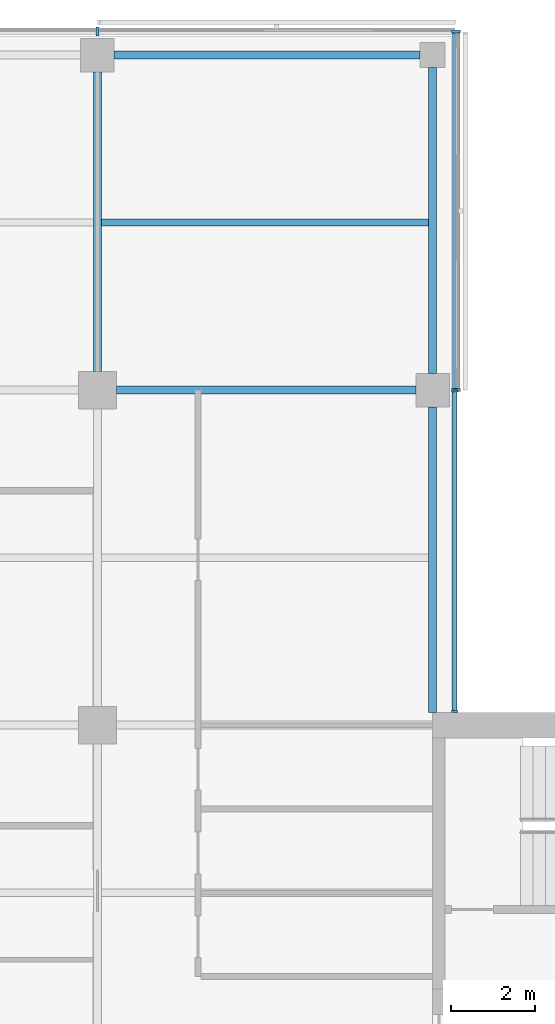
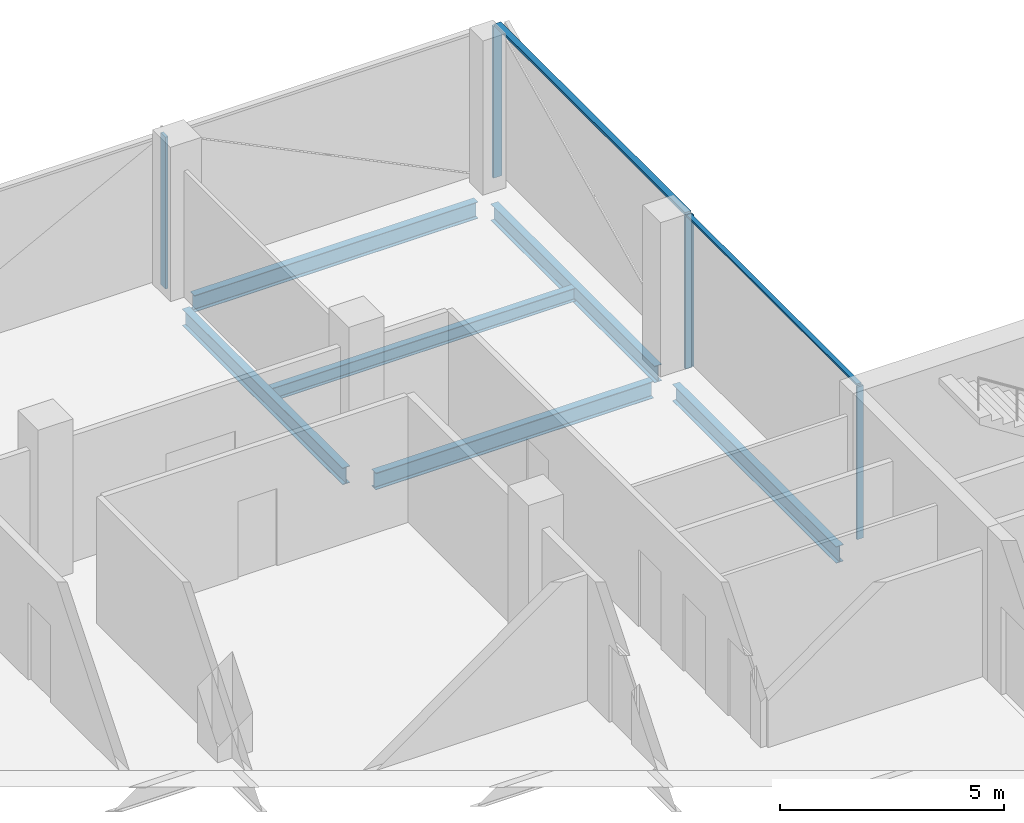
# One storey, part 7 of 15: 7 members, 6 beams, 3 elements without a shape of their own.
"""IFC4 building model written with IfcOpenShell, lengths in metres."""

from ifc_helpers import new_model, si_unit, direction, frame, origin, origin_2d, place, context, subcontext, project, spatial, rectangle, i_section, extrude, material, material_profile, profile_set, type_object, element, aggregate, save


model = new_model("IFC4")

# Units and contexts
model_context = context("Model", 3, precision=1e-05, world=origin(), true_north=direction((0.0, 1.0)))
body_context = subcontext(model_context, "Body", "Model", "MODEL_VIEW")
ifc_project = project(units=[si_unit("LENGTHUNIT", "METRE"), si_unit("AREAUNIT", "SQUARE_METRE"), si_unit("VOLUMEUNIT", "CUBIC_METRE"), si_unit("PLANEANGLEUNIT", "RADIAN"), si_unit("MASSUNIT", "GRAM", prefix="KILO")], contexts=[model_context])

# Site, building, storey
site_placement = place(None, origin())
site = spatial("IfcSite", under=ifc_project, at=site_placement, CompositionType="ELEMENT")
building_placement = place(site_placement, origin())
building = spatial("IfcBuilding", under=site, at=building_placement, Name="Crosswind Convention Tower", CompositionType="ELEMENT")
storey_placement = place(building_placement, frame((0.0, 0.0, 220.89990234375)))
storey = spatial("IfcBuildingStorey", under=building, at=storey_placement, Name="L47", CompositionType="ELEMENT", Elevation=220.89990234375)

# Beams
ifc_material_1 = material(Name="Steel S355", Category="steel")
ifc_material_profile_1 = material_profile(ifc_material_1, i_section(OverallWidth=0.18994140625, OverallDepth=0.45361328125, WebThickness=0.008544921875, FlangeThickness=0.0126953125, FilletRadius=0.01025390625, at=origin_2d()), Name="UB 457x191x67")
ifc_profile_set_1 = profile_set([ifc_material_profile_1], Name="Steel S355")
beam_type_1 = type_object("IfcBeamType", Name="Edge beam UB 457x191x67", PredefinedType="SPANDREL", material=ifc_profile_set_1)
for number, where, z_axis, x_axis, name in (
    (1, (129.39990234375, 128.0, -0.526611328125), (1.0, 0.0, 0.0), (0.0, 1.0, 0.0), "B16 L47 edge beam 10"),
    (2, (137.0, 112.300048828125, -0.526611328125), (0.0, 1.0, 0.0), (-1.0, 0.0, 0.0), "B16 L47 edge beam 13"),
    (3, (137.0, 120.39990234375, -0.526611328125), (0.0, 1.0, 0.0), (-1.0, 0.0, 0.0), "B16 L47 edge beam 14"),
):
    element("IfcBeam", number, at=place(storey_placement, frame(where, z_axis=z_axis, x_axis=x_axis)), inside=storey, type_object=beam_type_1, Name=name, PredefinedType="SPANDREL", context=body_context, shape_type="SweptSolid", body=[
        extrude(i_section(OverallWidth=0.18994140625, OverallDepth=0.45361328125, WebThickness=0.008544921875, FlangeThickness=0.0126953125, FilletRadius=0.01025390625, at=origin_2d()), origin(), (0.0, 0.0, 1.0), 7.300048828125),
    ])
ifc_material_profile_2 = material_profile(ifc_material_1, i_section(OverallWidth=0.1904296875, OverallDepth=0.457275390625, WebThickness=0.009033203125, FlangeThickness=0.014404296875, FilletRadius=0.01025390625, at=origin_2d()), Name="UB 457x191x75")
ifc_profile_set_2 = profile_set([ifc_material_profile_2], Name="Steel S355")
beam_type_2 = type_object("IfcBeamType", Name="Girder UB 457x191x75", PredefinedType="BEAM", material=ifc_profile_set_2)
for number, where, z_axis, x_axis, name in (
    (4, (129.0, 120.449951171875, -0.528564453125), (0.0, 1.0, 0.0), (-1.0, 0.0, 0.0), "B2 L47 girder 22"),
    (5, (129.449951171875, 120.0, -0.528564453125), (1.0, 0.0, 0.0), (0.0, 1.0, 0.0), "B2 L47 girder 24"),
):
    element("IfcBeam", number, at=place(storey_placement, frame(where, z_axis=z_axis, x_axis=x_axis)), inside=storey, type_object=beam_type_2, Name=name, PredefinedType="BEAM", context=body_context, shape_type="SweptSolid", body=[
        extrude(i_section(OverallWidth=0.1904296875, OverallDepth=0.457275390625, WebThickness=0.009033203125, FlangeThickness=0.014404296875, FilletRadius=0.01025390625, at=origin_2d()), origin(), (0.0, 0.0, 1.0), 7.150146484375),
    ])

# Curtain wall, members
ifc_material_2 = material(Name="Aluminium unitised curtain wall", Category="aluminium")
curtain_wall_type_1 = type_object("IfcCurtainWallType", Name="CORE END SLOT WALL 160", PredefinedType="USERDEFINED", material=ifc_material_2)
curtain_wall_1_placement = place(storey_placement, origin())
curtain_wall_1 = element("IfcCurtainWall", 6, at=curtain_wall_1_placement, inside=storey, type_object=curtain_wall_type_1, Name="CW6 L47 N-E.1-1 slot", ObjectType="UNITISED", PredefinedType="USERDEFINED")
ifc_material_3 = material(Name="Aluminium mullion", Category="aluminium")
ifc_material_profile_3 = material_profile(ifc_material_3, rectangle(XDim=0.159912109375, YDim=0.050048828125, at=origin_2d()), Name="AL 160X50")
ifc_profile_set_3 = profile_set([ifc_material_profile_3], Name="Aluminium mullion")
member_type_1 = type_object("IfcMemberType", Name="MULLION 50X160", PredefinedType="MULLION", material=ifc_profile_set_3)
member_1_placement = place(storey_placement, frame((137.530029296875, 112.324951171875, -0.2998046875), z_axis=(0.0, 0.0, 1.0), x_axis=(1.0, 0.0, 0.0)))
member_1 = element("IfcMember", 7, at=member_1_placement, type_object=member_type_1, Name="CW6 mullion 1", PredefinedType="MULLION", context=body_context, shape_type="SweptSolid", body=[
    extrude(rectangle(XDim=0.159912109375, YDim=0.050048828125, at=origin_2d()), origin(), (0.0, 0.0, 1.0), 4.14990234375),
])
member_2_placement = place(storey_placement, frame((137.530029296875, 119.97509765625, -0.2998046875), z_axis=(0.0, 0.0, 1.0), x_axis=(1.0, 0.0, 0.0)))
member_2 = element("IfcMember", 8, at=member_2_placement, type_object=member_type_1, Name="CW6 mullion 2", PredefinedType="MULLION", context=body_context, shape_type="SweptSolid", body=[
    extrude(rectangle(XDim=0.159912109375, YDim=0.050048828125, at=origin_2d()), origin(), (0.0, 0.0, 1.0), 4.14990234375),
])

curtain_wall_type_2 = type_object("IfcCurtainWallType", Name="OFFICE UNITISED WALL 220", PredefinedType="USERDEFINED", material=ifc_material_2)
curtain_wall_2_placement = place(storey_placement, origin())
curtain_wall_2 = element("IfcCurtainWall", 9, at=curtain_wall_2_placement, inside=storey, type_object=curtain_wall_type_2, Name="CW3 L47 N-E 1", ObjectType="UNITISED", PredefinedType="USERDEFINED")
ifc_material_profile_4 = material_profile(ifc_material_3, rectangle(XDim=0.219970703125, YDim=0.070068359375, at=origin_2d()), Name="AL 220X70")
ifc_profile_set_4 = profile_set([ifc_material_profile_4], Name="Aluminium mullion")
member_type_2 = type_object("IfcMemberType", Name="MULLION 70X220", PredefinedType="MULLION", material=ifc_profile_set_4)
member_3_placement = place(storey_placement, frame((137.56005859375, 120.0, -0.2998046875), z_axis=(0.0, 0.0, 1.0), x_axis=(1.0, 0.0, 0.0)))
member_3 = element("IfcMember", 10, at=member_3_placement, type_object=member_type_2, Name="CW3 mullion 1", PredefinedType="MULLION", context=body_context, shape_type="SweptSolid", body=[
    extrude(rectangle(XDim=0.219970703125, YDim=0.070068359375, at=origin_2d()), origin(), (0.0, 0.0, 1.0), 4.1298828125),
])
member_4_placement = place(storey_placement, frame((137.56005859375, 128.56005859375, -0.2998046875), z_axis=(0.0, 0.0, 1.0), x_axis=(1.0, 0.0, 0.0)))
member_4 = element("IfcMember", 11, at=member_4_placement, type_object=member_type_2, Name="CW3 mullion 2", PredefinedType="MULLION", context=body_context, shape_type="SweptSolid", body=[
    extrude(rectangle(XDim=0.219970703125, YDim=0.070068359375, at=origin_2d()), origin(), (0.0, 0.0, 1.0), 4.1298828125),
])

# Curtain wall, member
curtain_wall_3_placement = place(storey_placement, origin())
curtain_wall_3 = element("IfcCurtainWall", 12, at=curtain_wall_3_placement, inside=storey, type_object=curtain_wall_type_2, Name="CW3 L47 N-TIP 1", ObjectType="UNITISED", PredefinedType="USERDEFINED")
member_5_placement = place(storey_placement, frame((129.0, 128.56005859375, -0.2998046875), z_axis=(0.0, 0.0, 1.0), x_axis=(0.0, 1.0, 0.0)))
member_5 = element("IfcMember", 13, at=member_5_placement, type_object=member_type_2, Name="CW3 mullion 2", PredefinedType="MULLION", context=body_context, shape_type="SweptSolid", body=[
    extrude(rectangle(XDim=0.219970703125, YDim=0.070068359375, at=origin_2d()), origin(), (0.0, 0.0, 1.0), 4.1298828125),
])
aggregate(curtain_wall_3, [member_5])

# Beam
ifc_material_profile_5 = material_profile(ifc_material_1, i_section(OverallWidth=0.172119140625, OverallDepth=0.358642578125, WebThickness=0.008056640625, FlangeThickness=0.012939453125, FilletRadius=0.01025390625, at=origin_2d()), Name="UB 356x171x57")
ifc_profile_set_5 = profile_set([ifc_material_profile_5], Name="Steel S355")
beam_type_3 = type_object("IfcBeamType", Name="Secondary beam UB 356x171x57", PredefinedType="JOIST", material=ifc_profile_set_5)
beam_placement = place(storey_placement, frame((129.09521484375, 124.0, -0.479248046875), z_axis=(1.0, 0.0, 0.0), x_axis=(0.0, 1.0, 0.0)))
element("IfcBeam", 14, at=beam_placement, inside=storey, type_object=beam_type_3, Name="B9 L47 secondary beam 21", PredefinedType="JOIST", context=body_context, shape_type="SweptSolid", body=[
    extrude(i_section(OverallWidth=0.172119140625, OverallDepth=0.358642578125, WebThickness=0.008056640625, FlangeThickness=0.012939453125, FilletRadius=0.01025390625, at=origin_2d()), origin(), (0.0, 0.0, 1.0), 7.809814453125),
])

# Member
ifc_material_4 = material(Name="Aluminium transom", Category="aluminium")
ifc_material_profile_6 = material_profile(ifc_material_4, rectangle(XDim=0.1201171875, YDim=0.050048828125, at=origin_2d()), Name="AL 120X50")
ifc_profile_set_6 = profile_set([ifc_material_profile_6], Name="Aluminium transom")
member_type_3 = type_object("IfcMemberType", Name="TRANSOM 50X120", PredefinedType="USERDEFINED", material=ifc_profile_set_6)
member_6_placement = place(storey_placement, frame((137.530029296875, 112.35009765625, 3.875), z_axis=(0.0, 1.0, 0.0), x_axis=(-1.0, 0.0, 0.0)))
member_6 = element("IfcMember", 15, at=member_6_placement, type_object=member_type_3, Name="CW6 transom", ObjectType="TRANSOM", PredefinedType="USERDEFINED", context=body_context, shape_type="SweptSolid", body=[
    extrude(rectangle(XDim=0.1201171875, YDim=0.050048828125, at=origin_2d()), origin(), (0.0, 0.0, 1.0), 7.599853515625),
])

aggregate(curtain_wall_1, [member_1, member_2, member_6])

ifc_material_profile_7 = material_profile(ifc_material_4, rectangle(XDim=0.159912109375, YDim=0.070068359375, at=origin_2d()), Name="AL 160X70")
ifc_profile_set_7 = profile_set([ifc_material_profile_7], Name="Aluminium transom")
member_type_4 = type_object("IfcMemberType", Name="TRANSOM 70X160", PredefinedType="USERDEFINED", material=ifc_profile_set_7)
member_7_placement = place(storey_placement, frame((137.56005859375, 120.034912109375, 3.864990234375), z_axis=(0.0, 1.0, 0.0), x_axis=(-1.0, 0.0, 0.0)))
member_7 = element("IfcMember", 16, at=member_7_placement, type_object=member_type_4, Name="CW3 transom", ObjectType="TRANSOM", PredefinedType="USERDEFINED", context=body_context, shape_type="SweptSolid", body=[
    extrude(rectangle(XDim=0.159912109375, YDim=0.070068359375, at=origin_2d()), origin(), (0.0, 0.0, 1.0), 8.489990234375),
])

aggregate(curtain_wall_2, [member_3, member_4, member_7])

save(model, "model.ifc")
